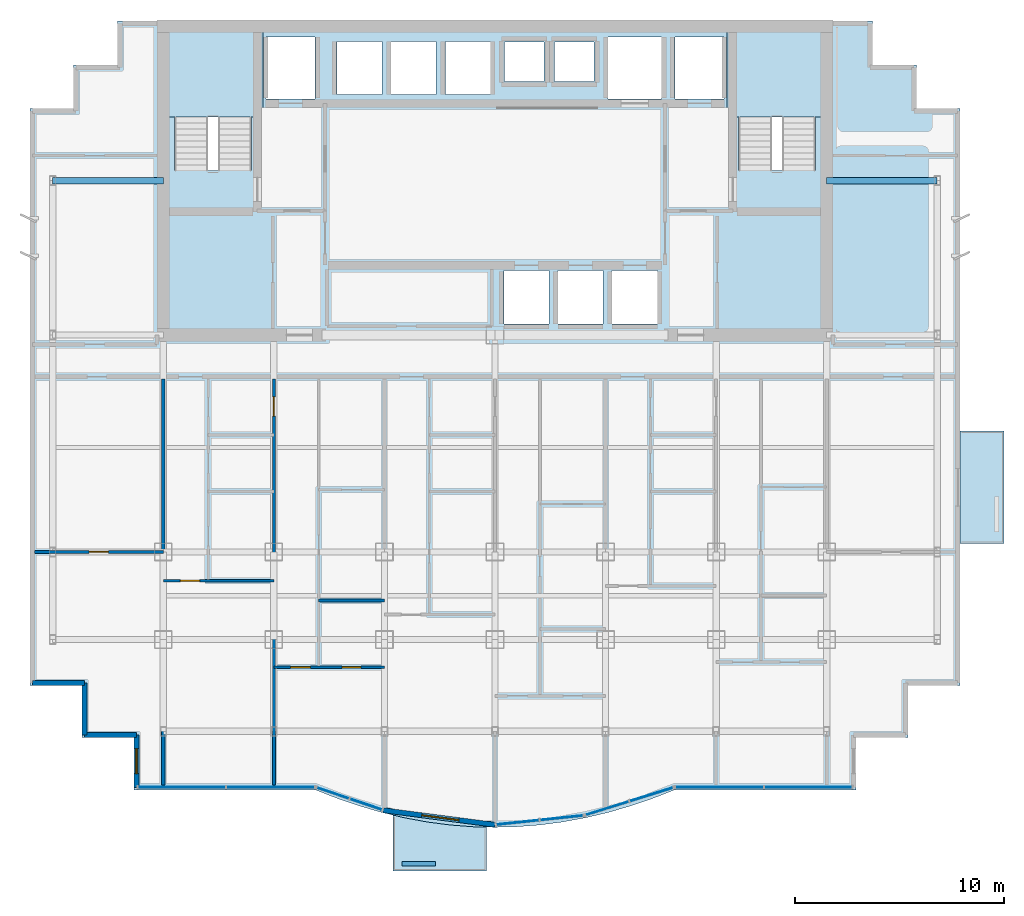
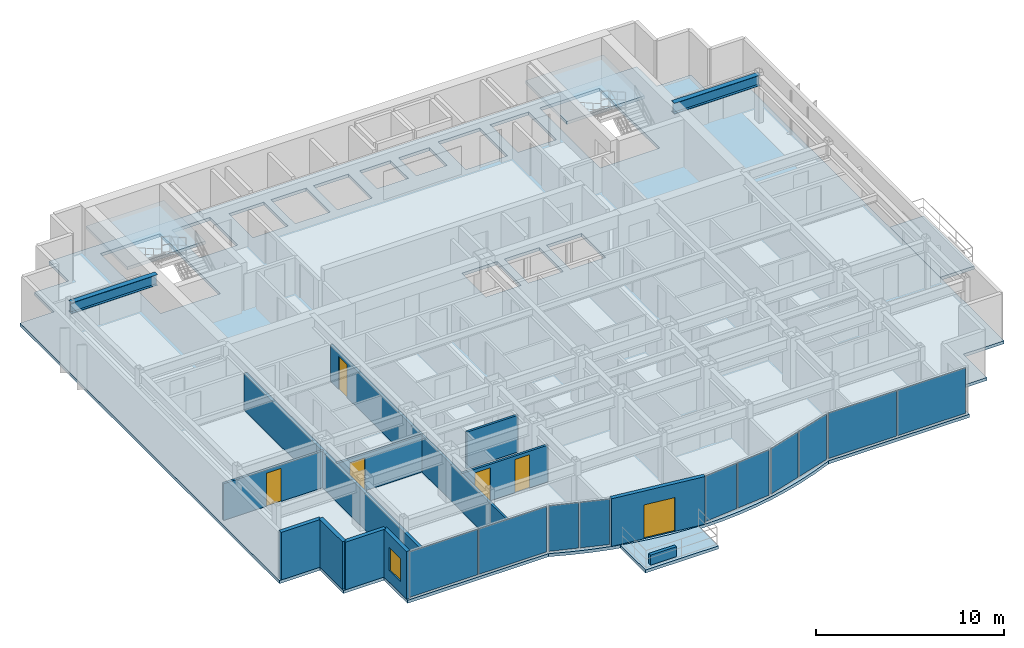
# One storey, part 5 of 11: 12 walls, 10 plates, 6 doors, 5 slabs, 2 beams, 1 window, 7 openings, 7 elements without a shape of their own.
"""IFC4 building model written with IfcOpenShell, lengths in metres."""

from ifc_helpers import new_model, si_unit, direction, frame, frame_2d, origin, origin_2d, place, context, subcontext, project, spatial, polyline, rectangle, i_section, outline, extrude, source, transform, mapped, material, layer, layer_set, material_profile, profile_set, type_object, element, fill, aggregate, save


model = new_model("IFC4")

# Units and contexts
model_context = context("Model", 3, precision=1e-05, world=origin(), true_north=direction((0.0, 1.0)))
body_context = subcontext(model_context, "Body", "Model", "MODEL_VIEW")
ifc_project = project(units=[si_unit("LENGTHUNIT", "METRE"), si_unit("AREAUNIT", "SQUARE_METRE"), si_unit("VOLUMEUNIT", "CUBIC_METRE"), si_unit("PLANEANGLEUNIT", "RADIAN"), si_unit("MASSUNIT", "GRAM", prefix="KILO")], contexts=[model_context])

# Site, building, storey
site_placement = place(None, origin())
site = spatial("IfcSite", under=ifc_project, at=site_placement, CompositionType="ELEMENT")
building_placement = place(site_placement, origin())
building = spatial("IfcBuilding", under=site, at=building_placement, Name="Qianlan Lanfeng Residences", CompositionType="ELEMENT")
storey_placement = place(building_placement, frame((0.0, 0.0, 165.60009765625)))
storey = spatial("IfcBuildingStorey", under=building, at=storey_placement, Name="L45", CompositionType="ELEMENT", Elevation=165.60009765625)

# Beams
ifc_material_1 = material(Name="Steel SN490B", Category="steel")
ifc_material_profile = material_profile(ifc_material_1, i_section(OverallWidth=0.300048828125, OverallDepth=0.699951171875, WebThickness=0.012939453125, FlangeThickness=0.02392578125, at=origin_2d()), Name="H 700x300x13x24")
ifc_profile_set = profile_set([ifc_material_profile], Name="Steel SN490B")
beam_type = type_object("IfcBeamType", Name="G-750", PredefinedType="BEAM", material=ifc_profile_set)
for number, where, z_axis, x_axis, name in (
    (1, (5.300048828125, 32.60009765625, 2.75), (1.0, 0.0, 0.0), (0.0, 1.0, 0.0), "Structural beam G-750"),
    (2, (42.39990234375, 32.60009765625, 2.75), (1.0, 0.0, 0.0), (0.0, 1.0, 0.0), "Structural beam G-750"),
):
    element("IfcBeam", number, at=place(storey_placement, frame(where, z_axis=z_axis, x_axis=x_axis)), inside=storey, type_object=beam_type, Name=name, PredefinedType="BEAM", context=body_context, shape_type="SweptSolid", body=[
        extrude(i_section(OverallWidth=0.300048828125, OverallDepth=0.699951171875, WebThickness=0.012939453125, FlangeThickness=0.02392578125, at=origin_2d()), origin(), (0.0, 0.0, 1.0), 5.300048828125),
    ])

# Slabs
ifc_material_2 = material(Name="Concrete C42", Category="concrete")
ifc_layer_1 = layer(ifc_material_2, 0.199951171875)
ifc_layer_set_1 = layer_set([ifc_layer_1], Name="Concrete C42")
slab_type_1 = type_object("IfcSlabType", Name="S-BAL-200", PredefinedType="FLOOR", material=ifc_layer_set_1)
slab_1_placement = place(storey_placement, frame((0.0, 0.0, -0.2001953125)))
element("IfcSlab", 3, at=slab_1_placement, inside=storey, type_object=slab_type_1, Name="L45 Planted Tree Balcony Slab SB-C", PredefinedType="FLOOR", context=body_context, shape_type="SweptSolid", body=[
    extrude(outline(polyline([(26.10009765625, 1.610107421875), (25.422119140625, 1.6279296875), (24.344970703125, 1.712890625), (23.26708984375, 1.85302734375), (22.18994140625, 2.050048828125), (21.60009765625, 2.18798828125), (21.60009765625, -0.5), (26.10009765625, -0.5), (26.10009765625, 1.610107421875)])), origin(), (0.0, 0.0, 1.0), 0.2001953125),
])
slab_2_placement = place(storey_placement, frame((0.0, 0.0, -0.2001953125)))
element("IfcSlab", 4, at=slab_2_placement, inside=storey, type_object=slab_type_1, Name="L45 Planted Tree Balcony Slab EB-S", PredefinedType="FLOOR", context=body_context, shape_type="SweptSolid", body=[
    extrude(outline(polyline([(48.800048828125, 20.60009765625), (48.800048828125, 15.199951171875), (50.89990234375, 15.199951171875), (50.89990234375, 20.60009765625), (48.800048828125, 20.60009765625)])), origin(), (0.0, 0.0, 1.0), 0.2001953125),
])
ifc_layer_2 = layer(ifc_material_2, 0.199951171875)
ifc_layer_set_2 = layer_set([ifc_layer_2], Name="Concrete C42")
slab_type_2 = type_object("IfcSlabType", Name="S-FL-200", PredefinedType="FLOOR", material=ifc_layer_set_2)
slab_3_placement = place(storey_placement, frame((0.0, 0.0, -0.2001953125)))
element("IfcSlab", 5, at=slab_3_placement, inside=storey, type_object=slab_type_2, Name="L45 Structural Floor Slab", PredefinedType="FLOOR", context=body_context, shape_type="SweptSolid", body=[
    extrude(outline(polyline([(4.199951171875, 8.39990234375), (6.699951171875, 8.39990234375), (6.699951171875, 5.89990234375), (9.199951171875, 5.89990234375), (9.199951171875, 3.39990234375), (17.8798828125, 3.39990234375), (18.95703125, 2.97802734375), (20.034912109375, 2.612060546875), (21.112060546875, 2.302978515625), (22.18994140625, 2.050048828125), (23.26708984375, 1.85302734375), (24.344970703125, 1.712890625), (25.422119140625, 1.6279296875), (26.5, 1.60009765625), (27.577880859375, 1.6279296875), (28.655029296875, 1.7119140625), (29.73193359375, 1.85302734375), (30.81005859375, 2.050048828125), (31.886962890625, 2.302978515625), (32.965087890625, 2.612060546875), (34.0419921875, 2.97802734375), (35.1201171875, 3.39990234375), (43.800048828125, 3.39990234375), (43.800048828125, 5.89990234375), (46.300048828125, 5.89990234375), (46.300048828125, 8.39990234375), (48.800048828125, 8.39990234375), (48.800048828125, 36.050048828125), (46.699951171875, 36.050048828125), (46.699951171875, 38.14990234375), (44.60009765625, 38.14990234375), (44.60009765625, 40.25), (8.39990234375, 40.25), (8.39990234375, 38.14990234375), (6.300048828125, 38.14990234375), (6.300048828125, 36.050048828125), (4.199951171875, 36.050048828125), (4.199951171875, 8.39990234375)]), holes=[polyline([(11.139892578125, 33.080078125), (11.139892578125, 39.5), (14.820068359375, 39.5), (14.820068359375, 33.080078125), (11.139892578125, 33.080078125)]), polyline([(38.179931640625, 33.080078125), (38.179931640625, 39.5), (41.860107421875, 39.5), (41.860107421875, 33.080078125), (38.179931640625, 33.080078125)]), polyline([(15.52001953125, 36.52001953125), (15.52001953125, 39.47998046875), (17.8798828125, 39.47998046875), (17.8798828125, 36.52001953125), (15.52001953125, 36.52001953125)]), polyline([(35.1201171875, 36.52001953125), (35.1201171875, 39.47998046875), (37.47998046875, 39.47998046875), (37.47998046875, 36.52001953125), (35.1201171875, 36.52001953125)]), polyline([(31.919921875, 36.52001953125), (31.919921875, 39.47998046875), (34.47998046875, 39.47998046875), (34.47998046875, 36.52001953125), (31.919921875, 36.52001953125)]), polyline([(26.919921875, 25.719970703125), (26.919921875, 28.280029296875), (29.080078125, 28.280029296875), (29.080078125, 25.719970703125), (26.919921875, 25.719970703125)]), polyline([(29.52001953125, 25.719970703125), (29.52001953125, 28.280029296875), (31.679931640625, 28.280029296875), (31.679931640625, 25.719970703125), (29.52001953125, 25.719970703125)]), polyline([(32.1201171875, 25.719970703125), (32.1201171875, 28.280029296875), (34.280029296875, 28.280029296875), (34.280029296875, 25.719970703125), (32.1201171875, 25.719970703125)]), polyline([(18.919921875, 36.719970703125), (18.919921875, 39.280029296875), (21.080078125, 39.280029296875), (21.080078125, 36.719970703125), (18.919921875, 36.719970703125)]), polyline([(21.52001953125, 36.719970703125), (21.52001953125, 39.280029296875), (23.679931640625, 39.280029296875), (23.679931640625, 36.719970703125), (21.52001953125, 36.719970703125)]), polyline([(24.1201171875, 36.719970703125), (24.1201171875, 39.280029296875), (26.280029296875, 39.280029296875), (26.280029296875, 36.719970703125), (24.1201171875, 36.719970703125)]), polyline([(26.949951171875, 37.35009765625), (26.949951171875, 39.25), (28.85009765625, 39.25), (28.85009765625, 37.35009765625), (26.949951171875, 37.35009765625)]), polyline([(29.35009765625, 37.35009765625), (29.35009765625, 39.25), (31.25, 39.25), (31.25, 37.35009765625), (29.35009765625, 37.35009765625)])]), origin(), (0.0, 0.0, 1.0), 0.2001953125),
])

# Stair, slab
stair_type = type_object("IfcStairType", Name="STR-MAIN", PredefinedType="HALF_TURN_STAIR", material=ifc_material_2)
stair_1_placement = place(storey_placement, origin())
stair_1 = element("IfcStair", 6, at=stair_1_placement, inside=storey, type_object=stair_type, Name="L45 Exit Stair ST-1", PredefinedType="HALF_TURN_STAIR")
ifc_layer_3 = layer(ifc_material_2, 0.179931640625)
ifc_layer_set_3 = layer_set([ifc_layer_3], Name="Concrete C42")
slab_type_3 = type_object("IfcSlabType", Name="S-LND-180", PredefinedType="LANDING", material=ifc_layer_set_3)
slab_4_placement = place(storey_placement, frame((0.0, 0.0, 1.449951171875)))
slab_4 = element("IfcSlab", 7, at=slab_4_placement, type_object=slab_type_3, Name="ST-1 landing 1", PredefinedType="LANDING", context=body_context, shape_type="SweptSolid", body=[
    extrude(outline(polyline([(10.580078125, 35.659912109375), (15.3798828125, 35.659912109375), (15.3798828125, 40.050048828125), (10.580078125, 40.050048828125), (10.580078125, 35.659912109375)])), origin(), (0.0, 0.0, 1.0), 0.199951171875),
])
aggregate(stair_1, [slab_4])

stair_2_placement = place(storey_placement, origin())
stair_2 = element("IfcStair", 8, at=stair_2_placement, inside=storey, type_object=stair_type, Name="L45 Exit Stair ST-2", PredefinedType="HALF_TURN_STAIR")
slab_5_placement = place(storey_placement, frame((0.0, 0.0, 1.449951171875)))
slab_5 = element("IfcSlab", 9, at=slab_5_placement, type_object=slab_type_3, Name="ST-2 landing 1", PredefinedType="LANDING", context=body_context, shape_type="SweptSolid", body=[
    extrude(outline(polyline([(37.6201171875, 35.659912109375), (42.419921875, 35.659912109375), (42.419921875, 40.050048828125), (37.6201171875, 40.050048828125), (37.6201171875, 35.659912109375)])), origin(), (0.0, 0.0, 1.0), 0.199951171875),
])
aggregate(stair_2, [slab_5])

# Curtain wall, plate
ifc_material_3 = material(Name="Anodised Bronze Aluminium 6063-T6", Category="aluminium")
ifc_layer_4 = layer(ifc_material_3, 0.219970703125)
ifc_layer_set_4 = layer_set([ifc_layer_4], Name="Anodised Bronze Aluminium 6063-T6")
curtain_wall_type = type_object("IfcCurtainWallType", Name="CW-04", PredefinedType="NOTDEFINED", material=ifc_layer_set_4)
curtain_wall_1_placement = place(storey_placement, origin())
curtain_wall_1 = element("IfcCurtainWall", 10, at=curtain_wall_1_placement, inside=storey, type_object=curtain_wall_type, Name="L45 Unitised Curtain Wall CWR-L45-02 (CW-04)", PredefinedType="NOTDEFINED")
ifc_material_4 = material(Name="Perforated Anodised Bronze Aluminium Panel", Category="aluminium")
ifc_layer_5 = layer(ifc_material_4, 0.0419921875)
ifc_layer_set_5 = layer_set([ifc_layer_5], Name="Perforated Anodised Bronze Aluminium Panel")
plate_type_1 = type_object("IfcPlateType", Name="PNL-PRF-BRZ", PredefinedType="CURTAIN_PANEL", material=ifc_layer_set_5)
shared_shape_1 = source(origin(), body_context, "Body", "SweptSolid", [
    extrude(rectangle(XDim=1.60009765625, YDim=0.0419921875, at=origin_2d()), origin(), (0.0, 0.0, 1.0), 2.951904296875),
])
plate_1_placement = place(storey_placement, frame((20.314453125, 2.7001953125, 0.07373046875), z_axis=(0.0, 0.0, 1.0), x_axis=(0.946795963885, -0.321834433787, 0.0)))
plate_1 = element("IfcPlate", 11, at=plate_1_placement, type_object=plate_type_1, Name="CWR-L45-02 Curtain Panel 2", PredefinedType="CURTAIN_PANEL", context=body_context, shape_type="MappedRepresentation", body=[
    mapped(shared_shape_1, transform((0.0, 0.0, 0.0), scale=1.0)),
])

# Curtain wall, plates
curtain_wall_2_placement = place(storey_placement, origin())
curtain_wall_2 = element("IfcCurtainWall", 12, at=curtain_wall_2_placement, inside=storey, type_object=curtain_wall_type, Name="L45 Unitised Curtain Wall CWR-L45-01 (CW-04)", PredefinedType="NOTDEFINED")
ifc_material_5 = material(Name="Clear Low-E Insulated Glass", Category="glass")
ifc_layer_6 = layer(ifc_material_5, 0.035888671875)
ifc_layer_set_6 = layer_set([ifc_layer_6], Name="Clear Low-E Insulated Glass")
plate_type_2 = type_object("IfcPlateType", Name="PNL-GLZ-CLR", PredefinedType="CURTAIN_PANEL", material=ifc_layer_set_6)
shared_shape_2 = source(origin(), body_context, "Body", "SweptSolid", [
    extrude(rectangle(XDim=4.180908203125, YDim=0.035888671875, at=origin_2d()), origin(), (0.0, 0.0, 1.0), 2.951904296875),
])
plate_2_placement = place(storey_placement, frame((11.484619140625, 3.52001953125, 0.07373046875), z_axis=(0.0, 0.0, 1.0), x_axis=(1.0, 0.0, 0.0)))
plate_2 = element("IfcPlate", 13, at=plate_2_placement, type_object=plate_type_2, Name="CWR-L45-01 Curtain Panel 1", PredefinedType="CURTAIN_PANEL", context=body_context, shape_type="MappedRepresentation", body=[
    mapped(shared_shape_2, transform((0.0, 0.0, 0.0), scale=1.0)),
])
plate_3_placement = place(storey_placement, frame((15.738525390625, 3.52001953125, 0.07373046875), z_axis=(0.0, 0.0, 1.0), x_axis=(1.0, 0.0, 0.0)))
plate_3 = element("IfcPlate", 14, at=plate_3_placement, type_object=plate_type_2, Name="CWR-L45-01 Curtain Panel 2", PredefinedType="CURTAIN_PANEL", context=body_context, shape_type="MappedRepresentation", body=[
    mapped(shared_shape_2, transform((0.0, 0.0, 0.0), scale=1.0)),
])
aggregate(curtain_wall_2, [plate_2, plate_3])

curtain_wall_3_placement = place(storey_placement, origin())
curtain_wall_3 = element("IfcCurtainWall", 15, at=curtain_wall_3_placement, inside=storey, type_object=curtain_wall_type, Name="L45 Unitised Curtain Wall CWR-L45-05 (CW-04)", PredefinedType="NOTDEFINED")
plate_4_placement = place(storey_placement, frame((37.261474609375, 3.52001953125, 0.07373046875), z_axis=(0.0, 0.0, 1.0), x_axis=(1.0, 0.0, 0.0)))
plate_4 = element("IfcPlate", 16, at=plate_4_placement, type_object=plate_type_2, Name="CWR-L45-05 Curtain Panel 1", PredefinedType="CURTAIN_PANEL", context=body_context, shape_type="MappedRepresentation", body=[
    mapped(shared_shape_2, transform((0.0, 0.0, 0.0), scale=1.0)),
])
plate_5_placement = place(storey_placement, frame((41.515380859375, 3.52001953125, 0.07373046875), z_axis=(0.0, 0.0, 1.0), x_axis=(1.0, 0.0, 0.0)))
plate_5 = element("IfcPlate", 17, at=plate_5_placement, type_object=plate_type_2, Name="CWR-L45-05 Curtain Panel 2", PredefinedType="CURTAIN_PANEL", context=body_context, shape_type="MappedRepresentation", body=[
    mapped(shared_shape_2, transform((0.0, 0.0, 0.0), scale=1.0)),
])
aggregate(curtain_wall_3, [plate_4, plate_5])

# Plate
shared_shape_3 = source(origin(), body_context, "Body", "SweptSolid", [
    extrude(rectangle(XDim=1.60009765625, YDim=0.035888671875, at=origin_2d()), origin(), (0.0, 0.0, 1.0), 2.951904296875),
])
plate_6_placement = place(storey_placement, frame((18.73046875, 3.23876953125, 0.07373046875), z_axis=(0.0, 0.0, 1.0), x_axis=(0.946795963885, -0.321834433787, 0.0)))
plate_6 = element("IfcPlate", 18, at=plate_6_placement, type_object=plate_type_2, Name="CWR-L45-02 Curtain Panel 1", PredefinedType="CURTAIN_PANEL", context=body_context, shape_type="MappedRepresentation", body=[
    mapped(shared_shape_3, transform((0.0, 0.0, 0.0), scale=1.0)),
])

aggregate(curtain_wall_1, [plate_6, plate_1])

# Curtain wall, plates
curtain_wall_4_placement = place(storey_placement, origin())
curtain_wall_4 = element("IfcCurtainWall", 19, at=curtain_wall_4_placement, inside=storey, type_object=curtain_wall_type, Name="L45 Unitised Curtain Wall CWR-L45-03 (CW-04)", PredefinedType="NOTDEFINED")
shared_shape_4 = source(origin(), body_context, "Body", "SweptSolid", [
    extrude(rectangle(XDim=2.043701171875, YDim=0.035888671875, at=origin_2d()), origin(), (0.0, 0.0, 1.0), 2.951904296875),
])
plate_7_placement = place(storey_placement, frame((27.58984375, 1.833984375, 0.07373046875), z_axis=(0.0, 0.0, 1.0), x_axis=(0.994579031105, 0.103983416397, 0.0)))
plate_7 = element("IfcPlate", 20, at=plate_7_placement, type_object=plate_type_2, Name="CWR-L45-03 Curtain Panel 1", PredefinedType="CURTAIN_PANEL", context=body_context, shape_type="MappedRepresentation", body=[
    mapped(shared_shape_4, transform((0.0, 0.0, 0.0), scale=1.0)),
])
plate_8_placement = place(storey_placement, frame((29.695068359375, 2.05419921875, 0.07373046875), z_axis=(0.0, 0.0, 1.0), x_axis=(0.994579031105, 0.103983416397, 0.0)))
plate_8 = element("IfcPlate", 21, at=plate_8_placement, type_object=plate_type_2, Name="CWR-L45-03 Curtain Panel 2", PredefinedType="CURTAIN_PANEL", context=body_context, shape_type="MappedRepresentation", body=[
    mapped(shared_shape_4, transform((0.0, 0.0, 0.0), scale=1.0)),
])
aggregate(curtain_wall_4, [plate_7, plate_8])

curtain_wall_5_placement = place(storey_placement, origin())
curtain_wall_5 = element("IfcCurtainWall", 22, at=curtain_wall_5_placement, inside=storey, type_object=curtain_wall_type, Name="L45 Unitised Curtain Wall CWR-L45-04 (CW-04)", PredefinedType="NOTDEFINED")
shared_shape_5 = source(origin(), body_context, "Body", "SweptSolid", [
    extrude(rectangle(XDim=2.14892578125, YDim=0.035888671875, at=origin_2d()), origin(), (0.0, 0.0, 1.0), 2.951904296875),
])
plate_9_placement = place(storey_placement, frame((31.880859375, 2.51171875, 0.07373046875), z_axis=(0.0, 0.0, 1.0), x_axis=(0.954195954421, 0.299182353367, 0.0)))
plate_9 = element("IfcPlate", 23, at=plate_9_placement, type_object=plate_type_2, Name="CWR-L45-04 Curtain Panel 1", PredefinedType="CURTAIN_PANEL", context=body_context, shape_type="MappedRepresentation", body=[
    mapped(shared_shape_5, transform((0.0, 0.0, 0.0), scale=1.0)),
])
shared_shape_6 = source(origin(), body_context, "Body", "SweptSolid", [
    extrude(rectangle(XDim=2.14892578125, YDim=0.0419921875, at=origin_2d()), origin(), (0.0, 0.0, 1.0), 2.951904296875),
])
plate_10_placement = place(storey_placement, frame((34.001220703125, 3.176513671875, 0.07373046875), z_axis=(0.0, 0.0, 1.0), x_axis=(0.954195954421, 0.299182353367, 0.0)))
plate_10 = element("IfcPlate", 24, at=plate_10_placement, type_object=plate_type_1, Name="CWR-L45-04 Curtain Panel 2", PredefinedType="CURTAIN_PANEL", context=body_context, shape_type="MappedRepresentation", body=[
    mapped(shared_shape_6, transform((0.0, 0.0, 0.0), scale=1.0)),
])
aggregate(curtain_wall_5, [plate_9, plate_10])

# Walls
ifc_layer_7 = layer(ifc_material_2, 0.239990234375)
ifc_layer_set_7 = layer_set([ifc_layer_7], Name="Concrete C42")
wall_type_1 = type_object("IfcWallType", Name="EW-240", PredefinedType="SOLIDWALL", material=ifc_layer_set_7)
for number, where, z_axis, x_axis, name in (
    (25, (4.320068359375, 8.52001953125, 0.0), (0.0, 0.0, 1.0), (1.0, 0.0, 0.0), "L45 Exterior Facade Spandrel Wall 1"),
    (26, (6.820068359375, 8.52001953125, 0.0), (0.0, 0.0, 1.0), (0.0, -1.0, 0.0), "L45 Exterior Facade Spandrel Wall 2"),
    (27, (6.820068359375, 6.02001953125, 0.0), (0.0, 0.0, 1.0), (1.0, 0.0, 0.0), "L45 Exterior Facade Spandrel Wall 3"),
):
    element("IfcWall", number, at=place(storey_placement, frame(where, z_axis=z_axis, x_axis=x_axis)), inside=storey, type_object=wall_type_1, Name=name, PredefinedType="SOLIDWALL", context=body_context, shape_type="SweptSolid", body=[
        extrude(rectangle(XDim=2.5, YDim=0.239990234375, at=frame_2d((1.25, 0.0))), origin(), (0.0, 0.0, 1.0), 3.099853515625),
    ])

# Wall, opening, window
wall_1_placement = place(storey_placement, frame((9.320068359375, 6.02001953125, 0.0), z_axis=(0.0, 0.0, 1.0), x_axis=(0.0, -1.0, 0.0)))
wall_1 = element("IfcWall", 28, at=wall_1_placement, inside=storey, type_object=wall_type_1, Name="L45 Exterior Facade Spandrel Wall 4", PredefinedType="SOLIDWALL", context=body_context, shape_type="SweptSolid", body=[
    extrude(rectangle(XDim=2.5, YDim=0.239990234375, at=frame_2d((1.25, 0.0))), origin(), (0.0, 0.0, 1.0), 3.099853515625),
])
opening_1_placement = place(wall_1_placement, frame((0.64990234375, 0.0, 0.75)))
opening_1 = element("IfcOpeningElement", 29, at=opening_1_placement, cuts=wall_1, Name="Opening W-03", PredefinedType="OPENING", context=body_context, shape_type="SweptSolid", body=[
    extrude(rectangle(XDim=1.199951171875, YDim=1.5, at=frame_2d((0.60009765625, 0.75))), frame((0.0, 0.1298828125, 0.0), z_axis=(0.0, -1.0, 0.0), x_axis=(1.0, 0.0, 0.0)), (0.0, 0.0, 1.0), 0.260009765625),
])
ifc_material_6 = material(Name="Anodised Bronze Aluminium Framed Double Glazing", Category="aluminium")
window_type = type_object("IfcWindowType", Name="W-03", PartitioningType="SINGLE_PANEL", PredefinedType="WINDOW", material=ifc_material_6)
window_placement = place(opening_1_placement, origin())
window = element("IfcWindow", 30, at=window_placement, inside=storey, type_object=window_type, Name="L45 Facade Punched Window W-03", OverallHeight=1.5, OverallWidth=1.199951171875, PartitioningType="SINGLE_PANEL", PredefinedType="WINDOW", context=body_context, shape_type="SweptSolid", body=[
    extrude(rectangle(XDim=1.199951171875, YDim=1.5, at=frame_2d((0.60009765625, 0.75))), frame((0.0, 0.030029296875, 0.0), z_axis=(0.0, -1.0, 0.0), x_axis=(1.0, 0.0, 0.0)), (0.0, 0.0, 1.0), 0.06005859375),
])
fill(opening_1, window)

# Wall, opening, door
wall_2_placement = place(storey_placement, frame((21.14208984375, 2.4189453125, 0.0), z_axis=(0.0, 0.0, 1.0), x_axis=(0.991597639478, -0.129360432053, 0.0)))
wall_2 = element("IfcWall", 31, at=wall_2_placement, inside=storey, type_object=wall_type_1, Name="L45 Terrace/Balcony Access Exterior Wall 5", PredefinedType="SOLIDWALL", context=body_context, shape_type="SweptSolid", body=[
    extrude(rectangle(XDim=5.4033203125, YDim=0.239990234375, at=frame_2d((2.70166015625, 0.0))), origin(), (0.0, 0.0, 1.0), 3.099853515625),
])
opening_2_placement = place(wall_2_placement, frame((1.863037109375, 0.0, 0.0)))
opening_2 = element("IfcOpeningElement", 32, at=opening_2_placement, cuts=wall_2, Name="Opening L45-D-SB-C", PredefinedType="OPENING", context=body_context, shape_type="SweptSolid", body=[
    extrude(rectangle(XDim=1.800048828125, YDim=2.199951171875, at=frame_2d((0.89990234375, 1.10009765625))), frame((0.0, 0.1298828125, 0.0), z_axis=(0.0, -1.0, 0.0), x_axis=(1.0, 0.0, 0.0)), (0.0, 0.0, 1.0), 0.260009765625),
])
ifc_material_7 = material(Name="Anodised Bronze Aluminium Framed Glass", Category="aluminium")
door_type_1 = type_object("IfcDoorType", Name="DT-BAL1", OperationType="NOTDEFINED", PredefinedType="DOOR", material=ifc_material_7)
door_1_placement = place(opening_2_placement, frame((1.800048828125, 0.0, 0.0), z_axis=(0.0, 0.0, 1.0), x_axis=(-1.0, 0.0, 0.0)))
door_1 = element("IfcDoor", 33, at=door_1_placement, inside=storey, type_object=door_type_1, Name="L45 Exterior Access Door SB-C", OperationType="DOUBLE_DOOR_SLIDING", OverallHeight=2.199951171875, OverallWidth=1.800048828125, PredefinedType="DOOR", context=body_context, shape_type="SweptSolid", body=[
    extrude(rectangle(XDim=1.800048828125, YDim=2.199951171875, at=frame_2d((0.89990234375, 1.10009765625))), frame((0.0, 0.02490234375, 0.0), z_axis=(0.0, -1.0, 0.0), x_axis=(1.0, 0.0, 0.0)), (0.0, 0.0, 1.0), 0.050048828125),
])
fill(opening_2, door_1)

# Wall
ifc_layer_8 = layer(ifc_material_2, 0.199951171875)
ifc_layer_set_8 = layer_set([ifc_layer_8], Name="Concrete C42")
wall_type_2 = type_object("IfcWallType", Name="PL-TREE-200", PredefinedType="PARAPET", material=ifc_layer_set_8)
wall_3_placement = place(storey_placement, frame((22.050048828125, -0.14990234375, 0.0), z_axis=(0.0, 0.0, 1.0), x_axis=(1.0, 0.0, 0.0)))
element("IfcWall", 34, at=wall_3_placement, inside=storey, type_object=wall_type_2, Name="L45 Balcony Tree Planter Curb SB-C", PredefinedType="PARAPET", context=body_context, shape_type="SweptSolid", body=[
    extrude(rectangle(XDim=1.599853515625, YDim=0.199951171875, at=frame_2d((0.7998046875, 0.0))), origin(), (0.0, 0.0, 1.0), 0.64990234375),
])

# Wall, opening, door
ifc_material_8 = material(Name="Moisture-Resistant Gypsum Partition 135 mm")
ifc_layer_9 = layer(ifc_material_8, 0.135009765625)
ifc_layer_set_9 = layer_set([ifc_layer_9], Name="Moisture-Resistant Gypsum Partition 135 mm")
wall_type_3 = type_object("IfcWallType", Name="PW-135", PredefinedType="PARTITIONING", material=ifc_layer_set_9)
wall_4_placement = place(storey_placement, frame((15.89990234375, 3.6201171875, 0.0), z_axis=(0.0, 0.0, 1.0), x_axis=(0.0, 1.0, 0.0)))
wall_4 = element("IfcWall", 35, at=wall_4_placement, inside=storey, type_object=wall_type_3, Name="L45 U01 Bay Spine Wall 1", PredefinedType="PARTITIONING", context=body_context, shape_type="SweptSolid", body=[
    extrude(rectangle(XDim=19.47998046875, YDim=0.135009765625, at=frame_2d((9.739990234375, 0.0))), origin(), (0.0, 0.0, 1.0), 2.3798828125),
])
opening_3_placement = place(wall_4_placement, frame((17.695068359375, 0.0, 0.0)))
opening_3 = element("IfcOpeningElement", 36, at=opening_3_placement, cuts=wall_4, Name="Opening L45-D15", PredefinedType="OPENING", context=body_context, shape_type="SweptSolid", body=[
    extrude(rectangle(XDim=0.919921875, YDim=2.14990234375, at=frame_2d((0.4599609375, 1.074951171875))), frame((0.0, 0.07763671875, 0.0), z_axis=(0.0, -1.0, 0.0), x_axis=(1.0, 0.0, 0.0)), (0.0, 0.0, 1.0), 0.155029296875),
])
ifc_material_9 = material(Name="Glazed Timber Kitchen/Study Door", Category="wood")
door_type_2 = type_object("IfcDoorType", Name="DT-INT", OperationType="NOTDEFINED", PredefinedType="DOOR", material=ifc_material_9)
door_2_placement = place(opening_3_placement, origin())
door_2 = element("IfcDoor", 37, at=door_2_placement, inside=storey, type_object=door_type_2, Name="L45 U01 Internal Hall Door L45-D15 (DT-INT)", OperationType="SINGLE_SWING_RIGHT", OverallHeight=2.14990234375, OverallWidth=0.919921875, PredefinedType="DOOR", context=body_context, shape_type="SweptSolid", body=[
    extrude(rectangle(XDim=0.919921875, YDim=2.14990234375, at=frame_2d((0.4599609375, 1.074951171875))), frame((0.0, 0.02490234375, 0.0), z_axis=(0.0, -1.0, 0.0), x_axis=(1.0, 0.0, 0.0)), (0.0, 0.0, 1.0), 0.050048828125),
])
fill(opening_3, door_2)

wall_5_placement = place(storey_placement, frame((10.60009765625, 13.419921875, 0.0), z_axis=(0.0, 0.0, 1.0), x_axis=(1.0, 0.0, 0.0)))
wall_5 = element("IfcWall", 38, at=wall_5_placement, inside=storey, type_object=wall_type_3, Name="L45 U01 Living Divider", PredefinedType="PARTITIONING", context=body_context, shape_type="SweptSolid", body=[
    extrude(rectangle(XDim=5.2998046875, YDim=0.135009765625, at=frame_2d((2.64990234375, 0.0))), origin(), (0.0, 0.0, 1.0), 2.3798828125),
])
opening_4_placement = place(wall_5_placement, frame((0.81494140625, 0.0, 0.0)))
opening_4 = element("IfcOpeningElement", 39, at=opening_4_placement, cuts=wall_5, Name="Opening L45-D16", PredefinedType="OPENING", context=body_context, shape_type="SweptSolid", body=[
    extrude(rectangle(XDim=0.919921875, YDim=2.14990234375, at=frame_2d((0.4599609375, 1.074951171875))), frame((0.0, 0.07763671875, 0.0), z_axis=(0.0, -1.0, 0.0), x_axis=(1.0, 0.0, 0.0)), (0.0, 0.0, 1.0), 0.155029296875),
])
door_3_placement = place(opening_4_placement, origin())
door_3 = element("IfcDoor", 40, at=door_3_placement, inside=storey, type_object=door_type_2, Name="L45 U01 Living Passage Door L45-D16 (DT-INT)", OperationType="SINGLE_SWING_LEFT", OverallHeight=2.14990234375, OverallWidth=0.919921875, PredefinedType="DOOR", context=body_context, shape_type="SweptSolid", body=[
    extrude(rectangle(XDim=0.919921875, YDim=2.14990234375, at=frame_2d((0.4599609375, 1.074951171875))), frame((0.0, 0.02490234375, 0.0), z_axis=(0.0, -1.0, 0.0), x_axis=(1.0, 0.0, 0.0)), (0.0, 0.0, 1.0), 0.050048828125),
])
fill(opening_4, door_3)

# Wall, openings, doors
wall_6_placement = place(storey_placement, frame((15.89990234375, 9.27392578125, 0.0), z_axis=(0.0, 0.0, 1.0), x_axis=(1.0, 0.0, 0.0)))
wall_6 = element("IfcWall", 41, at=wall_6_placement, inside=storey, type_object=wall_type_3, Name="L45 U01 Master Bedroom North Wall", PredefinedType="PARTITIONING", context=body_context, shape_type="SweptSolid", body=[
    extrude(rectangle(XDim=5.300048828125, YDim=0.135009765625, at=frame_2d((2.64990234375, 0.0))), origin(), (0.0, 0.0, 1.0), 2.3798828125),
])
opening_5_placement = place(wall_6_placement, frame((0.800048828125, 0.0, 0.0)))
opening_5 = element("IfcOpeningElement", 42, at=opening_5_placement, cuts=wall_6, Name="Opening L45-D20", PredefinedType="OPENING", context=body_context, shape_type="SweptSolid", body=[
    extrude(rectangle(XDim=0.949951171875, YDim=2.14990234375, at=frame_2d((0.47509765625, 1.074951171875))), frame((0.0, 0.07763671875, 0.0), z_axis=(0.0, -1.0, 0.0), x_axis=(1.0, 0.0, 0.0)), (0.0, 0.0, 1.0), 0.155029296875),
])
opening_6_placement = place(wall_6_placement, frame((3.27490234375, 0.0, 0.0)))
opening_6 = element("IfcOpeningElement", 43, at=opening_6_placement, cuts=wall_6, Name="Opening L45-D21", PredefinedType="OPENING", context=body_context, shape_type="SweptSolid", body=[
    extrude(rectangle(XDim=0.89990234375, YDim=2.14990234375, at=frame_2d((0.449951171875, 1.074951171875))), frame((0.0, 0.07763671875, 0.0), z_axis=(0.0, -1.0, 0.0), x_axis=(1.0, 0.0, 0.0)), (0.0, 0.0, 1.0), 0.155029296875),
])
ifc_material_10 = material(Name="Painted Solid-Core Timber Leaf", Category="wood")
door_type_3 = type_object("IfcDoorType", Name="DT-BED", OperationType="NOTDEFINED", PredefinedType="DOOR", material=ifc_material_10)
door_4_placement = place(opening_5_placement, origin())
door_4 = element("IfcDoor", 44, at=door_4_placement, inside=storey, type_object=door_type_3, Name="L45 U01 Master Bedroom Door L45-D20 (DT-BED)", OperationType="SINGLE_SWING_LEFT", OverallHeight=2.14990234375, OverallWidth=0.949951171875, PredefinedType="DOOR", context=body_context, shape_type="SweptSolid", body=[
    extrude(rectangle(XDim=0.949951171875, YDim=2.14990234375, at=frame_2d((0.47509765625, 1.074951171875))), frame((0.0, 0.02490234375, 0.0), z_axis=(0.0, -1.0, 0.0), x_axis=(1.0, 0.0, 0.0)), (0.0, 0.0, 1.0), 0.050048828125),
])
fill(opening_5, door_4)
ifc_material_11 = material(Name="Moisture-Resistant Timber Leaf", Category="wood")
door_type_4 = type_object("IfcDoorType", Name="DT-WC", OperationType="NOTDEFINED", PredefinedType="DOOR", material=ifc_material_11)
door_5_placement = place(opening_6_placement, origin())
door_5 = element("IfcDoor", 45, at=door_5_placement, inside=storey, type_object=door_type_4, Name="L45 U01 En-Suite Bathroom Door L45-D21 (DT-WC)", OperationType="SINGLE_SWING_RIGHT", OverallHeight=2.14990234375, OverallWidth=0.89990234375, PredefinedType="DOOR", context=body_context, shape_type="SweptSolid", body=[
    extrude(rectangle(XDim=0.89990234375, YDim=2.14990234375, at=frame_2d((0.449951171875, 1.074951171875))), frame((0.0, 0.02490234375, 0.0), z_axis=(0.0, -1.0, 0.0), x_axis=(1.0, 0.0, 0.0)), (0.0, 0.0, 1.0), 0.050048828125),
])
fill(opening_6, door_5)

# Wall
wall_7_placement = place(storey_placement, frame((18.050048828125, 12.47412109375, 0.0), z_axis=(0.0, 0.0, 1.0), x_axis=(1.0, 0.0, 0.0)))
element("IfcWall", 46, at=wall_7_placement, inside=storey, type_object=wall_type_3, Name="L45 U01 En-Suite North Wall", PredefinedType="PARTITIONING", context=body_context, shape_type="SweptSolid", body=[
    extrude(rectangle(XDim=3.14990234375, YDim=0.135009765625, at=frame_2d((1.574951171875, 0.0))), origin(), (0.0, 0.0, 1.0), 2.3798828125),
])

# Wall, opening, door
wall_8_placement = place(storey_placement, frame((4.419921875, 14.800048828125, 0.0), z_axis=(0.0, 0.0, 1.0), x_axis=(1.0, 0.0, 0.0)))
wall_8 = element("IfcWall", 47, at=wall_8_placement, inside=storey, type_object=wall_type_3, Name="L45 SWP Mid Partition", PredefinedType="PARTITIONING", context=body_context, shape_type="SweptSolid", body=[
    extrude(rectangle(XDim=6.18017578125, YDim=0.135009765625, at=frame_2d((3.090087890625, 0.0))), origin(), (0.0, 0.0, 1.0), 2.3798828125),
])
opening_7_placement = place(wall_8_placement, frame((2.6298828125, 0.0, 0.0)))
opening_7 = element("IfcOpeningElement", 48, at=opening_7_placement, cuts=wall_8, Name="Opening L45-D44", PredefinedType="OPENING", context=body_context, shape_type="SweptSolid", body=[
    extrude(rectangle(XDim=0.919921875, YDim=2.14990234375, at=frame_2d((0.4599609375, 1.074951171875))), frame((0.0, 0.07763671875, 0.0), z_axis=(0.0, -1.0, 0.0), x_axis=(1.0, 0.0, 0.0)), (0.0, 0.0, 1.0), 0.155029296875),
])
door_6_placement = place(opening_7_placement, origin())
door_6 = element("IfcDoor", 49, at=door_6_placement, inside=storey, type_object=door_type_2, Name="L45 SWP Inner Door L45-D44 (DT-INT)", OperationType="SINGLE_SWING_LEFT", OverallHeight=2.14990234375, OverallWidth=0.919921875, PredefinedType="DOOR", context=body_context, shape_type="SweptSolid", body=[
    extrude(rectangle(XDim=0.919921875, YDim=2.14990234375, at=frame_2d((0.4599609375, 1.074951171875))), frame((0.0, 0.02490234375, 0.0), z_axis=(0.0, -1.0, 0.0), x_axis=(1.0, 0.0, 0.0)), (0.0, 0.0, 1.0), 0.050048828125),
])
fill(opening_7, door_6)

# Wall
ifc_material_12 = material(Name="Double-Layer Acoustic Gypsum Stud Wall 180 mm")
ifc_layer_10 = layer(ifc_material_12, 0.179931640625)
ifc_layer_set_10 = layer_set([ifc_layer_10], Name="Double-Layer Acoustic Gypsum Stud Wall 180 mm")
wall_type_4 = type_object("IfcWallType", Name="PW-180", PredefinedType="PARTITIONING", material=ifc_layer_set_10)
wall_9_placement = place(storey_placement, frame((10.60009765625, 3.6201171875, 0.0), z_axis=(0.0, 0.0, 1.0), x_axis=(0.0, 1.0, 0.0)))
element("IfcWall", 50, at=wall_9_placement, inside=storey, type_object=wall_type_4, Name="L45 Wing Boundary Party Wall W0", PredefinedType="PARTITIONING", context=body_context, shape_type="SweptSolid", body=[
    extrude(rectangle(XDim=19.47998046875, YDim=0.179931640625, at=frame_2d((9.739990234375, 0.0))), origin(), (0.0, 0.0, 1.0), 2.3798828125),
])

save(model, "model.ifc")
